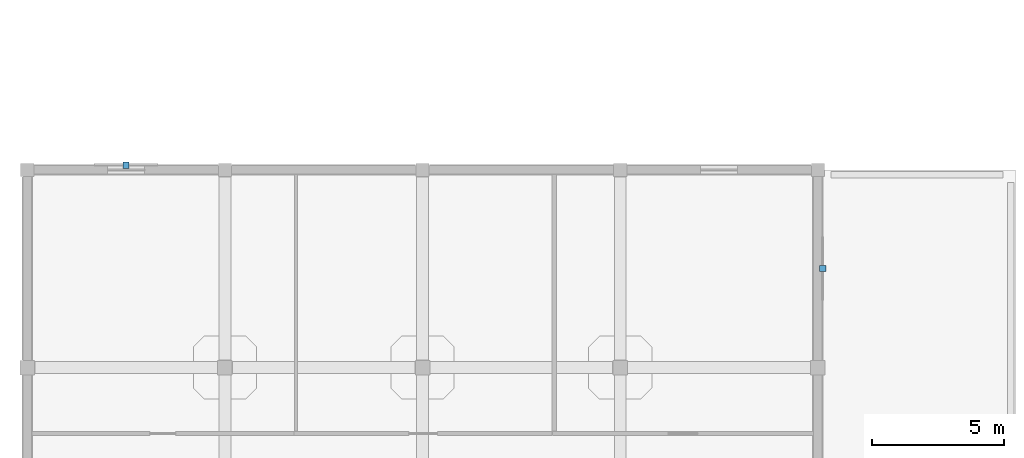
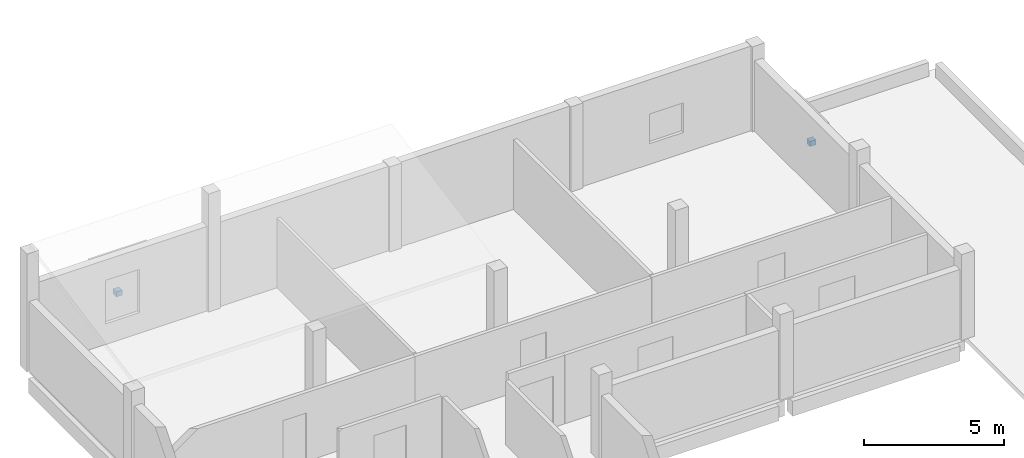
# One storey, part 10 of 14: 2 discrete accessories.
"""IFC4 building model written with IfcOpenShell, lengths in metres."""

from ifc_helpers import new_model, si_unit, direction, frame, origin, origin_2d, place, context, subcontext, project, spatial, rectangle, extrude, material, layer, layer_set, type_object, element, save


model = new_model("IFC4")

# Units and contexts
model_context = context("Model", 3, precision=1e-05, world=origin(), true_north=direction((0.0, 1.0)))
body_context = subcontext(model_context, "Body", "Model", "MODEL_VIEW")
ifc_project = project(units=[si_unit("LENGTHUNIT", "METRE"), si_unit("AREAUNIT", "SQUARE_METRE"), si_unit("VOLUMEUNIT", "CUBIC_METRE"), si_unit("PLANEANGLEUNIT", "RADIAN"), si_unit("MASSUNIT", "GRAM", prefix="KILO")], contexts=[model_context])

# Site, building, storey
site_placement = place(None, origin())
site = spatial("IfcSite", under=ifc_project, at=site_placement, CompositionType="ELEMENT")
building_placement = place(site_placement, origin())
building = spatial("IfcBuilding", under=site, at=building_placement, Name="Mawjan Specialist Oncology Clinic", CompositionType="ELEMENT")
storey_placement = place(building_placement, frame((0.0, 0.0, 17.5)))
storey = spatial("IfcBuildingStorey", under=building, at=storey_placement, Name="L04", CompositionType="ELEMENT", Elevation=17.5)

# Discrete accessories
ifc_material = material(Name="Structural steel S355", Category="steel")
ifc_layer = layer(ifc_material, 0.219970703125, Name="Structural steel S355", Category="steel")
ifc_layer_set = layer_set([ifc_layer], Name="Structural steel S355")
discrete_accessory_type = type_object("IfcDiscreteAccessoryType", Name="BRK-S355", PredefinedType="BRACKET", material=ifc_layer_set)
for number, where, z_axis, x_axis, name in (
    (1, (30.179931640625, 42.0625, 1.4326171875), (0.0, 0.0, 1.0), (0.0, -1.0, 0.0), "Rawshan Screen Mounting Bracket 86"),
    (2, (3.75, 45.97998046875, 1.73486328125), (0.0, 0.0, 1.0), (1.0, 0.0, 0.0), "Rawshan Screen Mounting Bracket 87"),
):
    element("IfcDiscreteAccessory", number, at=place(storey_placement, frame(where, z_axis=z_axis, x_axis=x_axis)), inside=storey, type_object=discrete_accessory_type, Name=name, PredefinedType="BRACKET", context=body_context, shape_type="SweptSolid", body=[
        extrude(rectangle(XDim=0.239990234375, YDim=0.239990234375, at=origin_2d()), origin(), (0.0, 0.0, 1.0), 0.219970703125),
    ])

save(model, "model.ifc")
